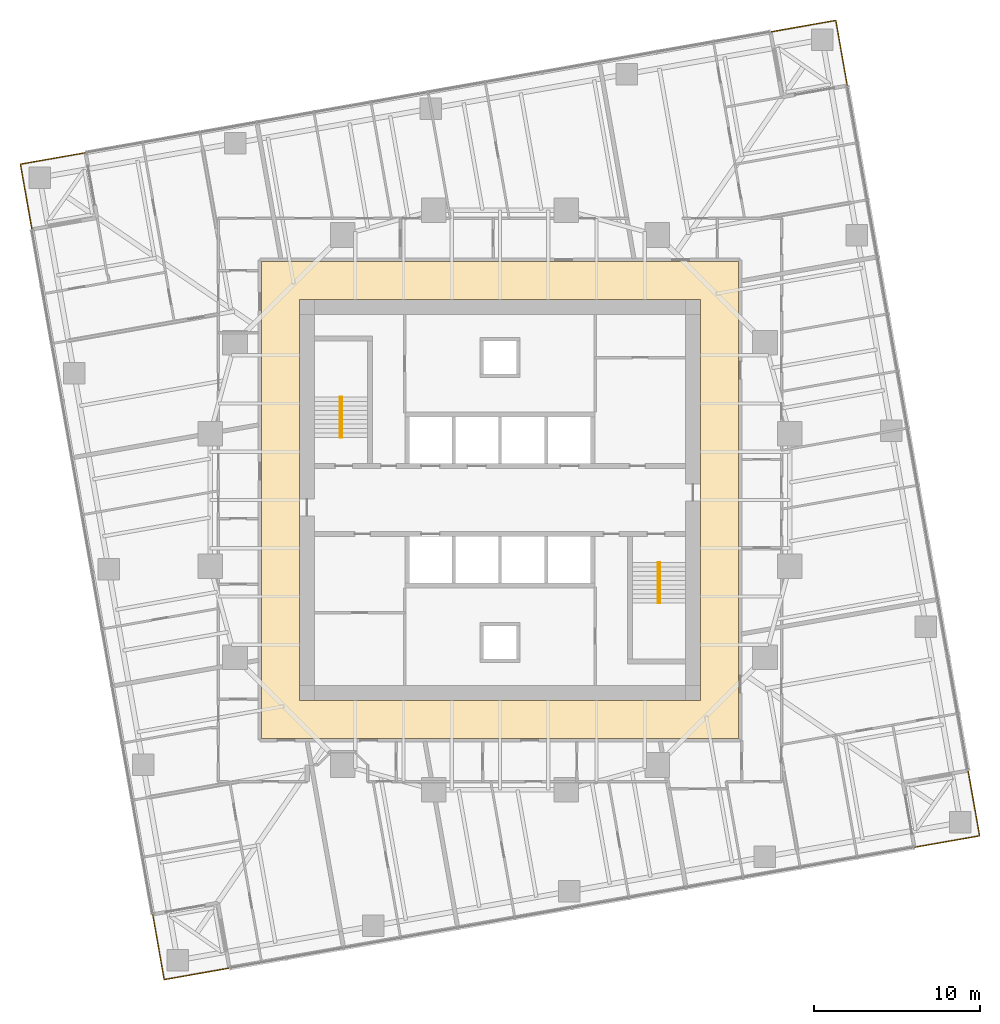
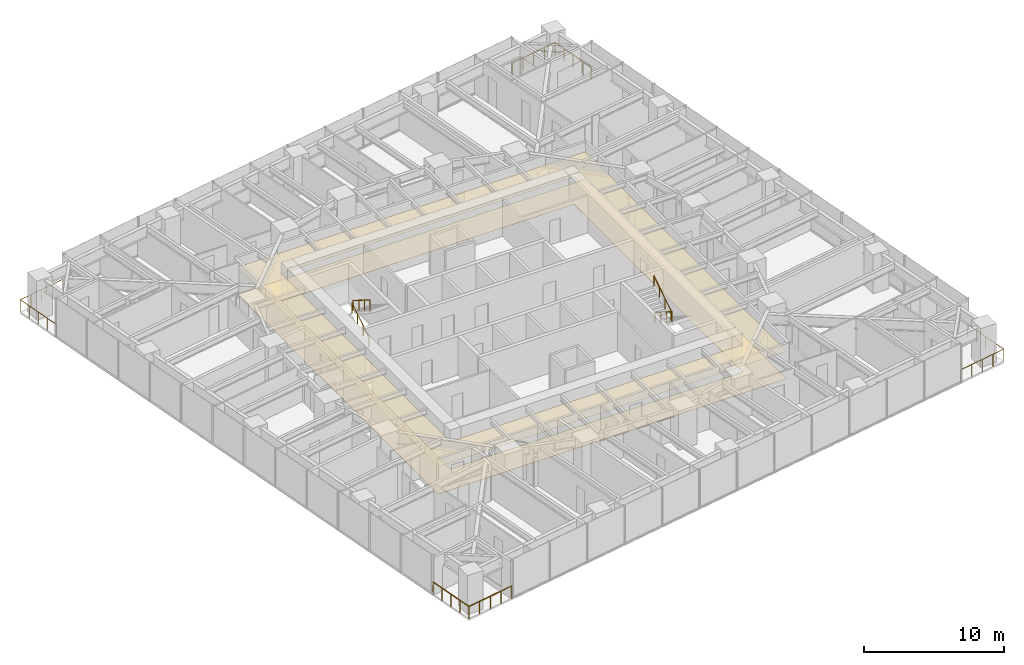
# One storey, part 14 of 14: 8 railings, 2 coverings, 2 elements without a shape of their own.
"""IFC4 building model written with IfcOpenShell, lengths in metres."""

import ifcopenshell
import ifcopenshell.guid

model = None  # the IFC model being written
_history = None  # IfcOwnerHistory: only IFC2X3 demands one
_inside = {}  # id of a spatial element -> (the spatial element, [elements in it])
_under = {}  # id of a project, library or spatial element -> (it, [spatial elements below it])
_declared = {}  # id of a project -> (the project, [libraries it declares])
_typed = {}  # id of a type object -> (the type object, [elements of that type])
_made_of = {}  # id of a material, layer set ... -> (it, [elements and type objects made of it])


def new_model(schema):
    """Start an empty IFC model of exactly this schema.

    Asked for "IFC4X3", IfcOpenShell would pick the latest addendum, in which some entities
    have other attributes; the version numbers below select the first issue.
    IFC2X3 requires an IfcOwnerHistory on every rooted entity: one is made here for all.
    """
    global model, _history
    if schema == "IFC4X3":
        model = ifcopenshell.file(schema_version=(4, 3, 0, 0))
    else:
        model = ifcopenshell.file(schema=schema)
    _inside.clear()
    _under.clear()
    _declared.clear()
    _typed.clear()
    _made_of.clear()
    _history = None
    if model.schema == "IFC2X3":
        org = make("IfcOrganization", Name="unknown")
        user = make(
            "IfcPersonAndOrganization",
            ThePerson=make("IfcPerson", FamilyName="unknown"),
            TheOrganization=org,
        )
        app = make(
            "IfcApplication",
            ApplicationDeveloper=org,
            Version="unknown",
            ApplicationFullName="unknown",
            ApplicationIdentifier="unknown",
        )
        _history = make(
            "IfcOwnerHistory",
            OwningUser=user,
            OwningApplication=app,
            ChangeAction="ADDED",
            CreationDate=0,
        )
    return model


def make(cls, **values):
    """One entity of the class cls with the attributes given. An attribute that is None is left unset."""
    return model.create_entity(
        cls, **{name: value for name, value in values.items() if value is not None}
    )


def rooted(cls, **values):
    """An entity with a GlobalId (a new one), such as an element, a storey or a relation."""
    return make(cls, GlobalId=ifcopenshell.guid.new(), OwnerHistory=_history, **values)


def si_unit(unit_type, name, prefix=None):
    """IfcSIUnit, for example si_unit("LENGTHUNIT", "METRE", prefix="MILLI")."""
    return make("IfcSIUnit", UnitType=unit_type, Prefix=prefix, Name=name)


def assignment(units):
    """IfcUnitAssignment: the units of a project."""
    return None if units is None else make("IfcUnitAssignment", Units=units)


def point(xyz):
    """IfcCartesianPoint."""
    return None if xyz is None else make("IfcCartesianPoint", Coordinates=xyz)


def direction(xyz):
    """IfcDirection."""
    return None if xyz is None else make("IfcDirection", DirectionRatios=xyz)


def frame(location, z_axis=None, x_axis=None):
    """IfcAxis2Placement3D, a coordinate frame: its origin and axes. An axis left out is left unset."""
    return make(
        "IfcAxis2Placement3D",
        Location=point(location),
        Axis=direction(z_axis),
        RefDirection=direction(x_axis),
    )


def frame_2d(location, x_axis=None):
    """IfcAxis2Placement2D, a coordinate frame in the plane: its origin and x axis."""
    return make(
        "IfcAxis2Placement2D", Location=point(location), RefDirection=direction(x_axis)
    )


def origin():
    """The frame at (0, 0, 0) with its axes left unset."""
    return frame((0.0, 0.0, 0.0))


def origin_2d():
    """The frame at (0, 0) in the plane with its x axis left unset."""
    return frame_2d((0.0, 0.0))


def place(relative_to, where):
    """IfcLocalPlacement: puts the frame where relative to a parent placement (None: the world)."""
    return make(
        "IfcLocalPlacement", PlacementRelTo=relative_to, RelativePlacement=where
    )


def context(
    kind, dimensions, precision=None, world=None, true_north=None, identifier=None
):
    """IfcGeometricRepresentationContext, for example the 3D "Model" context."""
    return make(
        "IfcGeometricRepresentationContext",
        ContextIdentifier=identifier,
        ContextType=kind,
        CoordinateSpaceDimension=dimensions,
        Precision=precision,
        WorldCoordinateSystem=world,
        TrueNorth=true_north,
    )


def subcontext(parent, identifier, kind, view, scale=None):
    """IfcGeometricRepresentationSubContext, for example "Body" below "Model"."""
    return make(
        "IfcGeometricRepresentationSubContext",
        ContextIdentifier=identifier,
        ContextType=kind,
        ParentContext=parent,
        TargetScale=scale,
        TargetView=view,
    )


def project(units=None, contexts=None):
    """IfcProject with its units and contexts."""
    return rooted(
        "IfcProject",
        Name="project",
        RepresentationContexts=contexts,
        UnitsInContext=assignment(units),
    )


def spatial(cls, under=None, at=None, **own):
    """A site, building, storey or space (cls), placed at a placement, below another one or the project."""
    s = rooted(cls, ObjectPlacement=at, **own)
    if under is not None:
        _under.setdefault(under.id(), (under, []))[1].append(s)
    return s


def polyline(points):
    """IfcPolyline through the points."""
    return make("IfcPolyline", Points=[point(p) for p in points])


def profile(cls, at=None, kind="AREA", **sizes):
    """A parametric profile (cls). Its sizes go by their IFC names, for example OverallWidth=200.0."""
    return make(cls, ProfileType=kind, Position=at, **sizes)


def circle(**sizes):
    """IfcCircleProfileDef."""
    return profile("IfcCircleProfileDef", **sizes)


def outline(outer, holes=None, kind="AREA"):
    """IfcArbitraryClosedProfileDef: a profile drawn as a closed curve; with holes, ...WithVoids."""
    if holes is None:
        return make("IfcArbitraryClosedProfileDef", ProfileType=kind, OuterCurve=outer)
    return make(
        "IfcArbitraryProfileDefWithVoids",
        ProfileType=kind,
        OuterCurve=outer,
        InnerCurves=holes,
    )


def extrude(swept, where, along, depth):
    """IfcExtrudedAreaSolid: the profile swept, set in the frame where, extruded along a direction by depth."""
    return make(
        "IfcExtrudedAreaSolid",
        SweptArea=swept,
        Position=where,
        ExtrudedDirection=direction(along),
        Depth=depth,
    )


def shape(context_of_items, identifier, shape_type, items):
    """IfcShapeRepresentation: the items that make up one representation, for example the "Body"."""
    return make(
        "IfcShapeRepresentation",
        ContextOfItems=context_of_items,
        RepresentationIdentifier=identifier,
        RepresentationType=shape_type,
        Items=items,
    )


def material(Name=None, Category=None):
    """IfcMaterial."""
    return make("IfcMaterial", Name=Name, Category=Category)


def layer(
    of_material, thickness, ventilated=None, Name=None, Category=None, Priority=None
):
    """IfcMaterialLayer: one layer of a wall or slab, of a material (None: an air gap)."""
    return make(
        "IfcMaterialLayer",
        Material=of_material,
        LayerThickness=thickness,
        IsVentilated=ventilated,
        Name=Name,
        Category=Category,
        Priority=Priority,
    )


def layer_set(layers, Name=None):
    """IfcMaterialLayerSet."""
    return make("IfcMaterialLayerSet", MaterialLayers=layers, LayerSetName=Name)


def made_of(thing, what):
    """Note that an element or type object is made of a material, layer set ...; save() writes the relation."""
    if what is not None:
        _made_of.setdefault(what.id(), (what, []))[1].append(thing)
    return thing


def type_object(cls, material=None, **own):
    """A type object (cls), such as IfcWallType, which elements share."""
    return made_of(rooted(cls, **own), material)


def element(
    cls,
    number,
    at=None,
    inside=None,
    cuts=None,
    type_object=None,
    material=None,
    context=None,
    identifier="Body",
    shape_type=None,
    held_by="IfcProductDefinitionShape",
    body=None,
    shapes=None,
    **own,
):
    """One element of the class cls, such as IfcWall. Its Tag is "e" and its number.

    at: its placement. inside: the storey or other place that contains it. cuts: it is an
    opening in that element (IfcRelVoidsElement). A single representation is given by context,
    identifier, shape_type and body (its items); several are given by shapes. held_by: the class
    of the entity that holds the representations. save() writes the other relations.
    """
    e = rooted(cls, Tag="e%d" % number, ObjectPlacement=at, **own)
    if body is not None:
        shapes = [shape(context, identifier, shape_type, body)]
    if shapes is not None:
        e.Representation = make(held_by, Representations=shapes)
    if inside is not None:
        _inside.setdefault(inside.id(), (inside, []))[1].append(e)
    if cuts is not None:
        rooted(
            "IfcRelVoidsElement", RelatingBuildingElement=cuts, RelatedOpeningElement=e
        )
    if type_object is not None:
        _typed.setdefault(type_object.id(), (type_object, []))[1].append(e)
    return made_of(e, material)


def aggregate(whole, parts):
    """IfcRelAggregates: a whole, such as a stair, and the parts it consists of."""
    return rooted("IfcRelAggregates", RelatingObject=whole, RelatedObjects=parts)


def save(model, path):
    """Write the relations noted so far, then the file.

    IfcRelAggregates (storeys below a building ...), IfcRelContainedInSpatialStructure (elements
    in a storey), IfcRelDefinesByType, IfcRelAssociatesMaterial and IfcRelDeclares: one each for
    every whole, place, type object, material and project.
    """
    for whole, parts in _under.values():
        aggregate(whole, parts)
    for where, things in _inside.values():
        rooted(
            "IfcRelContainedInSpatialStructure",
            RelatedElements=things,
            RelatingStructure=where,
        )
    for kind, things in _typed.values():
        rooted("IfcRelDefinesByType", RelatedObjects=things, RelatingType=kind)
    for what, things in _made_of.values():
        rooted("IfcRelAssociatesMaterial", RelatedObjects=things, RelatingMaterial=what)
    for by, libraries in _declared.values():
        rooted("IfcRelDeclares", RelatingContext=by, RelatedDefinitions=libraries)
    model.write(path)


model = new_model("IFC4")

# Units and contexts
model_context = context("Model", 3, precision=1e-05, world=origin(), true_north=direction((0.0, 1.0)))
body_context = subcontext(model_context, "Body", "Model", "MODEL_VIEW")
ifc_project = project(units=[si_unit("LENGTHUNIT", "METRE"), si_unit("AREAUNIT", "SQUARE_METRE"), si_unit("VOLUMEUNIT", "CUBIC_METRE"), si_unit("PLANEANGLEUNIT", "RADIAN"), si_unit("MASSUNIT", "GRAM", prefix="KILO")], contexts=[model_context])

# Site, building, storey
site_placement = place(None, origin())
site = spatial("IfcSite", under=ifc_project, at=site_placement, CompositionType="ELEMENT")
building_placement = place(site_placement, origin())
building = spatial("IfcBuilding", under=site, at=building_placement, Name="Torsade Residences", CompositionType="ELEMENT")
storey_placement = place(building_placement, frame((0.0, 0.0, 79.39990234375)))
storey = spatial("IfcBuildingStorey", under=building, at=storey_placement, Name="L21", CompositionType="ELEMENT", Elevation=79.39990234375)

# Coverings
ifc_material_1 = material(Name="Nylon carpet tile on underlay", Category="textile")
ifc_layer_1 = layer(ifc_material_1, 0.010009765625)
ifc_layer_set_1 = layer_set([ifc_layer_1], Name="Nylon carpet tile on underlay")
covering_type_1 = type_object("IfcCoveringType", Name="CORRIDOR CARPET TILE 10", PredefinedType="FLOORING", material=ifc_layer_set_1)
covering_1_placement = place(storey_placement, origin())
element("IfcCovering", 1, at=covering_1_placement, inside=storey, type_object=covering_type_1, Name="Corridor carpet L21", PredefinedType="FLOORING", context=body_context, shape_type="SweptSolid", body=[
    extrude(outline(polyline([(54.39990234375, 15.60009765625), (54.39990234375, 44.39990234375), (25.60009765625, 44.39990234375), (25.60009765625, 15.60009765625), (54.39990234375, 15.60009765625)]), holes=[polyline([(52.10009765625, 42.10009765625), (27.89990234375, 42.10009765625), (27.89990234375, 17.89990234375), (52.10009765625, 17.89990234375), (52.10009765625, 42.10009765625)])]), origin(), (0.0, 0.0, 1.0), 0.010009765625),
])
ifc_material_2 = material(Name="Plasterboard on suspended steel grid", Category="steel")
ifc_layer_2 = layer(ifc_material_2, 0.012939453125)
ifc_layer_set_2 = layer_set([ifc_layer_2], Name="Plasterboard on suspended steel grid")
covering_type_2 = type_object("IfcCoveringType", Name="CORRIDOR SUSPENDED CEILING 13", PredefinedType="CEILING", material=ifc_layer_set_2)
covering_2_placement = place(storey_placement, frame((0.0, 0.0, 2.400146484375)))
element("IfcCovering", 2, at=covering_2_placement, inside=storey, type_object=covering_type_2, Name="Corridor ceiling L21", PredefinedType="CEILING", context=body_context, shape_type="SweptSolid", body=[
    extrude(outline(polyline([(54.39990234375, 15.60009765625), (54.39990234375, 44.39990234375), (25.60009765625, 44.39990234375), (25.60009765625, 15.60009765625), (54.39990234375, 15.60009765625)]), holes=[polyline([(52.10009765625, 42.10009765625), (27.89990234375, 42.10009765625), (27.89990234375, 17.89990234375), (52.10009765625, 17.89990234375), (52.10009765625, 42.10009765625)])]), origin(), (0.0, 0.0, 1.0), 0.012939453125),
])

# Stair, railings
ifc_material_3 = material(Name="Precast concrete 40 MPa", Category="concrete")
stair_type = type_object("IfcStairType", Name="HALF-TURN FIRE STAIR 1500x3400", PredefinedType="HALF_TURN_STAIR", material=ifc_material_3)
stair_1_placement = place(storey_placement, origin())
stair_1 = element("IfcStair", 3, at=stair_1_placement, inside=storey, type_object=stair_type, Name="Stair ST1 L21", PredefinedType="HALF_TURN_STAIR")
ifc_material_4 = material(Name="Steel handrail", Category="steel")
railing_type_1 = type_object("IfcRailingType", Name="STAIR HANDRAIL 900", PredefinedType="HANDRAIL", material=ifc_material_4)
railing_1_placement = place(storey_placement, frame((30.35009765625, 33.780029296875, 0.170166015625)))
railing_1 = element("IfcRailing", 4, at=railing_1_placement, type_object=railing_type_1, Name="Handrail ST1 flight 1 L21", PredefinedType="HANDRAIL", context=body_context, shape_type="SweptSolid", body=[
    extrude(circle(Radius=0.02392578125, at=origin_2d()), frame((0.0, 0.0, 0.8759765625), z_axis=(0.0, 0.846221481393, 0.532831309544), x_axis=(-1.0, 0.0, 0.0)), (0.0, 0.0, 1.0), 2.87158203125),
    extrude(circle(Radius=0.02099609375, at=origin_2d()), origin(), (0.0, 0.0, 1.0), 0.851806640625),
    extrude(circle(Radius=0.02099609375, at=origin_2d()), frame((0.0, 0.81005859375, 0.510009765625)), (0.0, 0.0, 1.0), 0.851806640625),
    extrude(circle(Radius=0.02099609375, at=origin_2d()), frame((0.0, 1.619873046875, 1.02001953125)), (0.0, 0.0, 1.0), 0.851806640625),
    extrude(circle(Radius=0.02099609375, at=origin_2d()), frame((0.0, 2.429931640625, 1.530029296875)), (0.0, 0.0, 1.0), 0.851806640625),
])
railing_2_placement = place(storey_placement, frame((30.449951171875, 36.2099609375, 1.8701171875)))
railing_2 = element("IfcRailing", 5, at=railing_2_placement, type_object=railing_type_1, Name="Handrail ST1 flight 2 L21", PredefinedType="HANDRAIL", context=body_context, shape_type="SweptSolid", body=[
    extrude(circle(Radius=0.02392578125, at=origin_2d()), frame((0.0, 0.0, 0.8759765625), z_axis=(0.0, -0.846221481393, 0.532831309544), x_axis=(1.0, 0.0, 0.0)), (0.0, 0.0, 1.0), 2.87158203125),
    extrude(circle(Radius=0.02099609375, at=origin_2d()), origin(), (0.0, 0.0, 1.0), 0.851806640625),
    extrude(circle(Radius=0.02099609375, at=origin_2d()), frame((0.0, -0.81005859375, 0.510009765625)), (0.0, 0.0, 1.0), 0.851806640625),
    extrude(circle(Radius=0.02099609375, at=origin_2d()), frame((0.0, -1.619873046875, 1.02001953125)), (0.0, 0.0, 1.0), 0.851806640625),
    extrude(circle(Radius=0.02099609375, at=origin_2d()), frame((0.0, -2.429931640625, 1.530029296875)), (0.0, 0.0, 1.0), 0.851806640625),
])
aggregate(stair_1, [railing_1, railing_2])

stair_2_placement = place(storey_placement, origin())
stair_2 = element("IfcStair", 6, at=stair_2_placement, inside=storey, type_object=stair_type, Name="Stair ST2 L21", PredefinedType="HALF_TURN_STAIR")
railing_3_placement = place(storey_placement, frame((49.64990234375, 26.219970703125, 0.170166015625)))
railing_3 = element("IfcRailing", 7, at=railing_3_placement, type_object=railing_type_1, Name="Handrail ST2 flight 1 L21", PredefinedType="HANDRAIL", context=body_context, shape_type="SweptSolid", body=[
    extrude(circle(Radius=0.02392578125, at=origin_2d()), frame((0.0, 0.0, 0.8759765625), z_axis=(0.0, -0.846221481393, 0.532831309544), x_axis=(1.0, 0.0, 0.0)), (0.0, 0.0, 1.0), 2.87158203125),
    extrude(circle(Radius=0.02099609375, at=origin_2d()), origin(), (0.0, 0.0, 1.0), 0.851806640625),
    extrude(circle(Radius=0.02099609375, at=origin_2d()), frame((0.0, -0.81005859375, 0.510009765625)), (0.0, 0.0, 1.0), 0.851806640625),
    extrude(circle(Radius=0.02099609375, at=origin_2d()), frame((0.0, -1.619873046875, 1.02001953125)), (0.0, 0.0, 1.0), 0.851806640625),
    extrude(circle(Radius=0.02099609375, at=origin_2d()), frame((0.0, -2.429931640625, 1.530029296875)), (0.0, 0.0, 1.0), 0.851806640625),
])
railing_4_placement = place(storey_placement, frame((49.550048828125, 23.7900390625, 1.8701171875)))
railing_4 = element("IfcRailing", 8, at=railing_4_placement, type_object=railing_type_1, Name="Handrail ST2 flight 2 L21", PredefinedType="HANDRAIL", context=body_context, shape_type="SweptSolid", body=[
    extrude(circle(Radius=0.02392578125, at=origin_2d()), frame((0.0, 0.0, 0.8759765625), z_axis=(0.0, 0.846221481393, 0.532831309544), x_axis=(-1.0, 0.0, 0.0)), (0.0, 0.0, 1.0), 2.87158203125),
    extrude(circle(Radius=0.02099609375, at=origin_2d()), origin(), (0.0, 0.0, 1.0), 0.851806640625),
    extrude(circle(Radius=0.02099609375, at=origin_2d()), frame((0.0, 0.81005859375, 0.510009765625)), (0.0, 0.0, 1.0), 0.851806640625),
    extrude(circle(Radius=0.02099609375, at=origin_2d()), frame((0.0, 1.619873046875, 1.02001953125)), (0.0, 0.0, 1.0), 0.851806640625),
    extrude(circle(Radius=0.02099609375, at=origin_2d()), frame((0.0, 2.429931640625, 1.530029296875)), (0.0, 0.0, 1.0), 0.851806640625),
])
aggregate(stair_2, [railing_3, railing_4])

# Railings
ifc_material_5 = material(Name="Laminated glass balustrade", Category="glass")
railing_type_2 = type_object("IfcRailingType", Name="TERRACE GLASS BALUSTRADE 1100", PredefinedType="BALUSTRADE", material=ifc_material_5)
railing_5_placement = place(storey_placement, frame((65.022216796875, 9.0263671875, 0.0)))
element("IfcRailing", 9, at=railing_5_placement, inside=storey, type_object=railing_type_2, Name="Terrace balustrade SE L21", PredefinedType="BALUSTRADE", context=body_context, shape_type="SweptSolid", body=[
    extrude(circle(Radius=0.02392578125, at=origin_2d()), frame((0.0, 0.0, 1.076171875), z_axis=(0.984808127031, 0.173646056486, 0.0), x_axis=(-0.173646056486, 0.984808127031, 0.0)), (0.0, 0.0, 1.0), 4.0),
    extrude(circle(Radius=0.02392578125, at=origin_2d()), frame((3.939208984375, 0.694580078125, 1.076171875), z_axis=(-0.173646056486, 0.984808127031, 0.0), x_axis=(-0.984808127031, -0.173646056486, 0.0)), (0.0, 0.0, 1.0), 4.0),
    extrude(circle(Radius=0.02099609375, at=origin_2d()), origin(), (0.0, 0.0, 1.0), 1.052001953125),
    extrude(circle(Radius=0.02099609375, at=origin_2d()), frame((0.98486328125, 0.173583984375, 0.0)), (0.0, 0.0, 1.0), 1.052001953125),
    extrude(circle(Radius=0.02099609375, at=origin_2d()), frame((1.9697265625, 0.34716796875, 0.0)), (0.0, 0.0, 1.0), 1.052001953125),
    extrude(circle(Radius=0.02099609375, at=origin_2d()), frame((2.954345703125, 0.52099609375, 0.0)), (0.0, 0.0, 1.0), 1.052001953125),
    extrude(circle(Radius=0.02099609375, at=origin_2d()), frame((3.939208984375, 0.694580078125, 0.0)), (0.0, 0.0, 1.0), 1.052001953125),
    extrude(circle(Radius=0.02099609375, at=origin_2d()), frame((3.765625, 1.679443359375, 0.0)), (0.0, 0.0, 1.0), 1.052001953125),
    extrude(circle(Radius=0.02099609375, at=origin_2d()), frame((3.591796875, 2.6640625, 0.0)), (0.0, 0.0, 1.0), 1.052001953125),
    extrude(circle(Radius=0.02099609375, at=origin_2d()), frame((3.418212890625, 3.64892578125, 0.0)), (0.0, 0.0, 1.0), 1.052001953125),
    extrude(circle(Radius=0.02099609375, at=origin_2d()), frame((3.24462890625, 4.6337890625, 0.0)), (0.0, 0.0, 1.0), 1.052001953125),
])
railing_6_placement = place(storey_placement, frame((60.9736328125, 55.022216796875, 0.0)))
element("IfcRailing", 10, at=railing_6_placement, inside=storey, type_object=railing_type_2, Name="Terrace balustrade NE L21", PredefinedType="BALUSTRADE", context=body_context, shape_type="SweptSolid", body=[
    extrude(circle(Radius=0.02392578125, at=origin_2d()), frame((0.0, 0.0, 1.076171875), z_axis=(-0.173646056486, 0.984808127031, 0.0), x_axis=(-0.984808127031, -0.173646056486, 0.0)), (0.0, 0.0, 1.0), 4.0),
    extrude(circle(Radius=0.02392578125, at=origin_2d()), frame((-0.694580078125, 3.939208984375, 1.076171875), z_axis=(-0.984808127031, -0.173646056486, 0.0), x_axis=(0.173646056486, -0.984808127031, 0.0)), (0.0, 0.0, 1.0), 4.0),
    extrude(circle(Radius=0.02099609375, at=origin_2d()), origin(), (0.0, 0.0, 1.0), 1.052001953125),
    extrude(circle(Radius=0.02099609375, at=origin_2d()), frame((-0.173583984375, 0.98486328125, 0.0)), (0.0, 0.0, 1.0), 1.052001953125),
    extrude(circle(Radius=0.02099609375, at=origin_2d()), frame((-0.34716796875, 1.9697265625, 0.0)), (0.0, 0.0, 1.0), 1.052001953125),
    extrude(circle(Radius=0.02099609375, at=origin_2d()), frame((-0.52099609375, 2.954345703125, 0.0)), (0.0, 0.0, 1.0), 1.052001953125),
    extrude(circle(Radius=0.02099609375, at=origin_2d()), frame((-0.694580078125, 3.939208984375, 0.0)), (0.0, 0.0, 1.0), 1.052001953125),
    extrude(circle(Radius=0.02099609375, at=origin_2d()), frame((-1.679443359375, 3.765625, 0.0)), (0.0, 0.0, 1.0), 1.052001953125),
    extrude(circle(Radius=0.02099609375, at=origin_2d()), frame((-2.6640625, 3.591796875, 0.0)), (0.0, 0.0, 1.0), 1.052001953125),
    extrude(circle(Radius=0.02099609375, at=origin_2d()), frame((-3.64892578125, 3.418212890625, 0.0)), (0.0, 0.0, 1.0), 1.052001953125),
    extrude(circle(Radius=0.02099609375, at=origin_2d()), frame((-4.6337890625, 3.24462890625, 0.0)), (0.0, 0.0, 1.0), 1.052001953125),
])
railing_7_placement = place(storey_placement, frame((14.977783203125, 50.9736328125, 0.0)))
element("IfcRailing", 11, at=railing_7_placement, inside=storey, type_object=railing_type_2, Name="Terrace balustrade NW L21", PredefinedType="BALUSTRADE", context=body_context, shape_type="SweptSolid", body=[
    extrude(circle(Radius=0.02392578125, at=origin_2d()), frame((0.0, 0.0, 1.076171875), z_axis=(-0.984808127031, -0.173646056486, 0.0), x_axis=(0.173646056486, -0.984808127031, 0.0)), (0.0, 0.0, 1.0), 4.0),
    extrude(circle(Radius=0.02392578125, at=origin_2d()), frame((-3.939208984375, -0.694580078125, 1.076171875), z_axis=(0.173646056486, -0.984808127031, 0.0), x_axis=(0.984808127031, 0.173646056486, 0.0)), (0.0, 0.0, 1.0), 4.0),
    extrude(circle(Radius=0.02099609375, at=origin_2d()), origin(), (0.0, 0.0, 1.0), 1.052001953125),
    extrude(circle(Radius=0.02099609375, at=origin_2d()), frame((-0.98486328125, -0.173583984375, 0.0)), (0.0, 0.0, 1.0), 1.052001953125),
    extrude(circle(Radius=0.02099609375, at=origin_2d()), frame((-1.9697265625, -0.34716796875, 0.0)), (0.0, 0.0, 1.0), 1.052001953125),
    extrude(circle(Radius=0.02099609375, at=origin_2d()), frame((-2.954345703125, -0.52099609375, 0.0)), (0.0, 0.0, 1.0), 1.052001953125),
    extrude(circle(Radius=0.02099609375, at=origin_2d()), frame((-3.939208984375, -0.694580078125, 0.0)), (0.0, 0.0, 1.0), 1.052001953125),
    extrude(circle(Radius=0.02099609375, at=origin_2d()), frame((-3.765625, -1.679443359375, 0.0)), (0.0, 0.0, 1.0), 1.052001953125),
    extrude(circle(Radius=0.02099609375, at=origin_2d()), frame((-3.591796875, -2.6640625, 0.0)), (0.0, 0.0, 1.0), 1.052001953125),
    extrude(circle(Radius=0.02099609375, at=origin_2d()), frame((-3.418212890625, -3.64892578125, 0.0)), (0.0, 0.0, 1.0), 1.052001953125),
    extrude(circle(Radius=0.02099609375, at=origin_2d()), frame((-3.24462890625, -4.6337890625, 0.0)), (0.0, 0.0, 1.0), 1.052001953125),
])
railing_8_placement = place(storey_placement, frame((19.0263671875, 4.977783203125, 0.0)))
element("IfcRailing", 12, at=railing_8_placement, inside=storey, type_object=railing_type_2, Name="Terrace balustrade SW L21", PredefinedType="BALUSTRADE", context=body_context, shape_type="SweptSolid", body=[
    extrude(circle(Radius=0.02392578125, at=origin_2d()), frame((0.0, 0.0, 1.076171875), z_axis=(0.173646056486, -0.984808127031, 0.0), x_axis=(0.984808127031, 0.173646056486, 0.0)), (0.0, 0.0, 1.0), 4.0),
    extrude(circle(Radius=0.02392578125, at=origin_2d()), frame((0.694580078125, -3.939208984375, 1.076171875), z_axis=(0.984808127031, 0.173646056486, 0.0), x_axis=(-0.173646056486, 0.984808127031, 0.0)), (0.0, 0.0, 1.0), 4.0),
    extrude(circle(Radius=0.02099609375, at=origin_2d()), origin(), (0.0, 0.0, 1.0), 1.052001953125),
    extrude(circle(Radius=0.02099609375, at=origin_2d()), frame((0.173583984375, -0.98486328125, 0.0)), (0.0, 0.0, 1.0), 1.052001953125),
    extrude(circle(Radius=0.02099609375, at=origin_2d()), frame((0.34716796875, -1.9697265625, 0.0)), (0.0, 0.0, 1.0), 1.052001953125),
    extrude(circle(Radius=0.02099609375, at=origin_2d()), frame((0.52099609375, -2.954345703125, 0.0)), (0.0, 0.0, 1.0), 1.052001953125),
    extrude(circle(Radius=0.02099609375, at=origin_2d()), frame((0.694580078125, -3.939208984375, 0.0)), (0.0, 0.0, 1.0), 1.052001953125),
    extrude(circle(Radius=0.02099609375, at=origin_2d()), frame((1.679443359375, -3.765625, 0.0)), (0.0, 0.0, 1.0), 1.052001953125),
    extrude(circle(Radius=0.02099609375, at=origin_2d()), frame((2.6640625, -3.591796875, 0.0)), (0.0, 0.0, 1.0), 1.052001953125),
    extrude(circle(Radius=0.02099609375, at=origin_2d()), frame((3.64892578125, -3.418212890625, 0.0)), (0.0, 0.0, 1.0), 1.052001953125),
    extrude(circle(Radius=0.02099609375, at=origin_2d()), frame((4.6337890625, -3.24462890625, 0.0)), (0.0, 0.0, 1.0), 1.052001953125),
])

save(model, "model.ifc")
